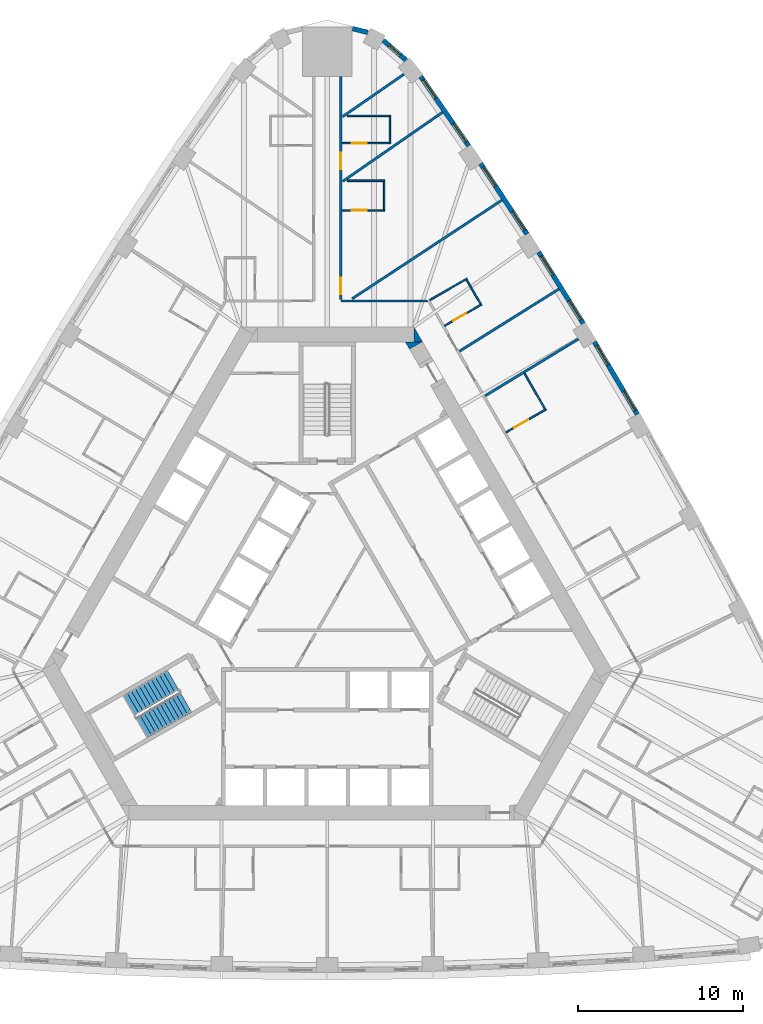
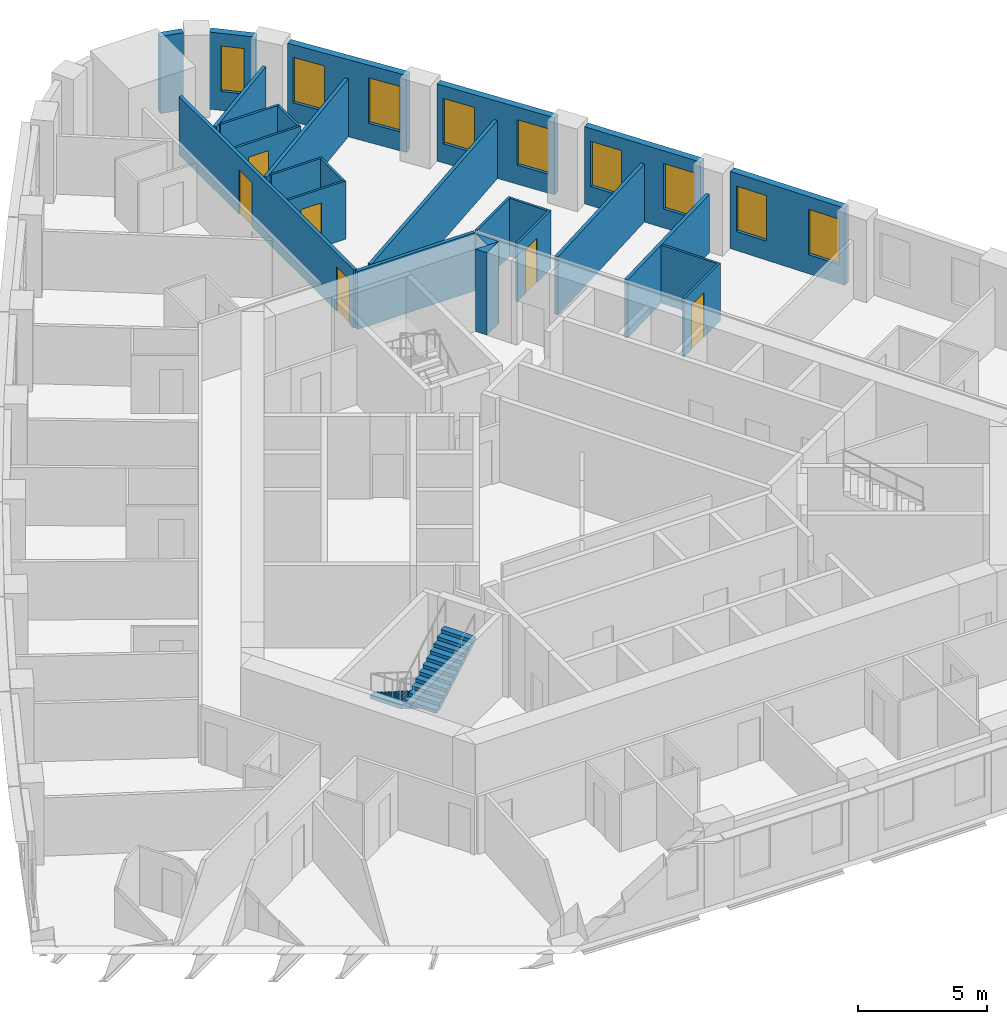
# One storey, part 11 of 13: 26 walls, 9 windows, 6 doors, 2 stair flights, 15 openings, 1 element without a shape of its own.
"""IFC4 building model written with IfcOpenShell, lengths in metres."""

from ifc_helpers import new_model, si_unit, direction, frame, frame_2d, origin, place, context, subcontext, project, spatial, polyline, rectangle, outline, extrude, material, layer, layer_set, type_object, element, fill, aggregate, save


model = new_model("IFC4")

# Units and contexts
model_context = context("Model", 3, precision=1e-05, world=origin(), true_north=direction((0.0, 1.0)))
body_context = subcontext(model_context, "Body", "Model", "MODEL_VIEW")
ifc_project = project(units=[si_unit("LENGTHUNIT", "METRE"), si_unit("AREAUNIT", "SQUARE_METRE"), si_unit("VOLUMEUNIT", "CUBIC_METRE"), si_unit("PLANEANGLEUNIT", "RADIAN"), si_unit("MASSUNIT", "GRAM", prefix="KILO")], contexts=[model_context])

# Site, building, storey
site_placement = place(None, origin())
site = spatial("IfcSite", under=ifc_project, at=site_placement, CompositionType="ELEMENT")
building_placement = place(site_placement, origin())
building = spatial("IfcBuilding", under=site, at=building_placement, Name="Mestral Congress Tower", CompositionType="ELEMENT")
storey_placement = place(building_placement, frame((0.0, 0.0, 99.300048828125)))
storey = spatial("IfcBuildingStorey", under=building, at=storey_placement, Name="L23", CompositionType="ELEMENT", Elevation=99.300048828125)

# Walls
ifc_material_1 = material(Name="Concrete C60/75", Category="concrete")
ifc_layer_1 = layer(ifc_material_1, 0.89990234375)
ifc_layer_set_1 = layer_set([ifc_layer_1], Name="Concrete C60/75")
wall_type_1 = type_object("IfcWallType", Name="Core wall RC 900", PredefinedType="SOLIDWALL", material=ifc_layer_set_1)
placement = place(storey_placement, origin())
element("IfcWall", 1, at=placement, inside=storey, type_object=wall_type_1, Name="L23 core wall", PredefinedType="SOLIDWALL", context=body_context, shape_type="SweptSolid", body=[
    extrude(outline(polyline([(5.265380859375, 16.0), (5.265380859375, 16.8798828125), (5.7734375, 16.0), (5.265380859375, 16.0)])), origin(), (0.0, 0.0, 1.0), 3.89990234375),
])
element("IfcWall", 2, at=placement, inside=storey, type_object=wall_type_1, Name="L23 core wall", PredefinedType="SOLIDWALL", context=body_context, shape_type="SweptSolid", body=[
    extrude(outline(polyline([(4.734375, 16.0), (5.750244140625, 16.0), (4.98828125, 15.56005859375), (4.734375, 16.0)])), origin(), (0.0, 0.0, 1.0), 3.89990234375),
])

# Wall, openings, windows
ifc_material_2 = material(Name="Precast concrete C40/50 with limestone facing", Category="masonry")
ifc_layer_2 = layer(ifc_material_2, 0.2900390625)
ifc_layer_set_2 = layer_set([ifc_layer_2], Name="Precast concrete C40/50 with limestone facing")
wall_type_2 = type_object("IfcWallType", Name="Facade stone wall 290", PredefinedType="SOLIDWALL", material=ifc_layer_set_2)
wall_3_placement = place(storey_placement, frame((18.8046875, 11.611083984375, 0.0), z_axis=(0.0, 0.0, 1.0), x_axis=(-0.510054281659, 0.860142214847, 0.0)))
wall_3 = element("IfcWall", 3, at=wall_3_placement, inside=storey, type_object=wall_type_2, Name="Facade wall F1-04", PredefinedType="SOLIDWALL", context=body_context, shape_type="SweptSolid", body=[
    extrude(rectangle(XDim=5.1005859375, YDim=0.2900390625, at=frame_2d((2.55029296875, 0.0))), origin(), (0.0, 0.0, 1.0), 3.64990234375),
])
opening_1_placement = place(wall_3_placement, frame((0.272705078125, 0.0, 0.89990234375)))
opening_1 = element("IfcOpeningElement", 4, at=opening_1_placement, cuts=wall_3, Name="Opening W2", PredefinedType="OPENING", context=body_context, shape_type="SweptSolid", body=[
    extrude(rectangle(XDim=1.35009765625, YDim=2.14990234375, at=frame_2d((0.675048828125, 1.074951171875))), frame((0.0, 0.155029296875, 0.0), z_axis=(0.0, -1.0, 0.0), x_axis=(1.0, 0.0, 0.0)), (0.0, 0.0, 1.0), 0.31005859375),
])
opening_2_placement = place(wall_3_placement, frame((3.477783203125, 0.0, 0.89990234375)))
opening_2 = element("IfcOpeningElement", 5, at=opening_2_placement, cuts=wall_3, Name="Opening W2", PredefinedType="OPENING", context=body_context, shape_type="SweptSolid", body=[
    extrude(rectangle(XDim=1.35009765625, YDim=2.14990234375, at=frame_2d((0.675048828125, 1.074951171875))), frame((0.0, 0.155029296875, 0.0), z_axis=(0.0, -1.0, 0.0), x_axis=(1.0, 0.0, 0.0)), (0.0, 0.0, 1.0), 0.31005859375),
])
ifc_material_3 = material(Name="Clear low-emissivity double glazing", Category="glass")
window_type_1 = type_object("IfcWindowType", Name="Facade punched window 1350 x 2150 sill 900", PartitioningType="DOUBLE_PANEL_VERTICAL", PredefinedType="WINDOW", material=ifc_material_3)
window_1_placement = place(opening_1_placement, origin())
window_1 = element("IfcWindow", 6, at=window_1_placement, inside=storey, type_object=window_type_1, Name="Window F1-04a", OverallHeight=2.14990234375, OverallWidth=1.35009765625, PartitioningType="DOUBLE_PANEL_VERTICAL", PredefinedType="WINDOW", context=body_context, shape_type="SweptSolid", body=[
    extrude(rectangle(XDim=1.35009765625, YDim=2.14990234375, at=frame_2d((0.675048828125, 1.074951171875))), frame((0.0, 0.01513671875, 0.0), z_axis=(0.0, -1.0, 0.0), x_axis=(1.0, 0.0, 0.0)), (0.0, 0.0, 1.0), 0.06005859375),
])
fill(opening_1, window_1)
window_2_placement = place(opening_2_placement, origin())
window_2 = element("IfcWindow", 7, at=window_2_placement, inside=storey, type_object=window_type_1, Name="Window F1-04b", OverallHeight=2.14990234375, OverallWidth=1.35009765625, PartitioningType="DOUBLE_PANEL_VERTICAL", PredefinedType="WINDOW", context=body_context, shape_type="SweptSolid", body=[
    extrude(rectangle(XDim=1.35009765625, YDim=2.14990234375, at=frame_2d((0.675048828125, 1.074951171875))), frame((0.0, 0.01513671875, 0.0), z_axis=(0.0, -1.0, 0.0), x_axis=(1.0, 0.0, 0.0)), (0.0, 0.0, 1.0), 0.06005859375),
])
fill(opening_2, window_2)

wall_4_placement = place(storey_placement, frame((15.523681640625, 17.114013671875, 0.0), z_axis=(0.0, 0.0, 1.0), x_axis=(-0.530072082134, 0.847952585787, 0.0)))
wall_4 = element("IfcWall", 8, at=wall_4_placement, inside=storey, type_object=wall_type_2, Name="Facade wall F1-05", PredefinedType="SOLIDWALL", context=body_context, shape_type="SweptSolid", body=[
    extrude(rectangle(XDim=5.100341796875, YDim=0.2900390625, at=frame_2d((2.55029296875, 0.0))), origin(), (0.0, 0.0, 1.0), 3.64990234375),
])
opening_3_placement = place(wall_4_placement, frame((0.272705078125, 0.0, 0.89990234375)))
opening_3 = element("IfcOpeningElement", 9, at=opening_3_placement, cuts=wall_4, Name="Opening W2", PredefinedType="OPENING", context=body_context, shape_type="SweptSolid", body=[
    extrude(rectangle(XDim=1.35009765625, YDim=2.14990234375, at=frame_2d((0.675048828125, 1.074951171875))), frame((0.0, 0.155029296875, 0.0), z_axis=(0.0, -1.0, 0.0), x_axis=(1.0, 0.0, 0.0)), (0.0, 0.0, 1.0), 0.31005859375),
])
opening_4_placement = place(wall_4_placement, frame((3.477783203125, 0.0, 0.89990234375)))
opening_4 = element("IfcOpeningElement", 10, at=opening_4_placement, cuts=wall_4, Name="Opening W2", PredefinedType="OPENING", context=body_context, shape_type="SweptSolid", body=[
    extrude(rectangle(XDim=1.35009765625, YDim=2.14990234375, at=frame_2d((0.675048828125, 1.074951171875))), frame((0.0, 0.155029296875, 0.0), z_axis=(0.0, -1.0, 0.0), x_axis=(1.0, 0.0, 0.0)), (0.0, 0.0, 1.0), 0.31005859375),
])
window_3_placement = place(opening_3_placement, origin())
window_3 = element("IfcWindow", 11, at=window_3_placement, inside=storey, type_object=window_type_1, Name="Window F1-05a", OverallHeight=2.14990234375, OverallWidth=1.35009765625, PartitioningType="DOUBLE_PANEL_VERTICAL", PredefinedType="WINDOW", context=body_context, shape_type="SweptSolid", body=[
    extrude(rectangle(XDim=1.35009765625, YDim=2.14990234375, at=frame_2d((0.675048828125, 1.074951171875))), frame((0.0, 0.01513671875, 0.0), z_axis=(0.0, -1.0, 0.0), x_axis=(1.0, 0.0, 0.0)), (0.0, 0.0, 1.0), 0.06005859375),
])
fill(opening_3, window_3)
window_4_placement = place(opening_4_placement, origin())
window_4 = element("IfcWindow", 12, at=window_4_placement, inside=storey, type_object=window_type_1, Name="Window F1-05b", OverallHeight=2.14990234375, OverallWidth=1.35009765625, PartitioningType="DOUBLE_PANEL_VERTICAL", PredefinedType="WINDOW", context=body_context, shape_type="SweptSolid", body=[
    extrude(rectangle(XDim=1.35009765625, YDim=2.14990234375, at=frame_2d((0.675048828125, 1.074951171875))), frame((0.0, 0.01513671875, 0.0), z_axis=(0.0, -1.0, 0.0), x_axis=(1.0, 0.0, 0.0)), (0.0, 0.0, 1.0), 0.06005859375),
])
fill(opening_4, window_4)

wall_5_placement = place(storey_placement, frame((12.114501953125, 22.538818359375, 0.0), z_axis=(0.0, 0.0, 1.0), x_axis=(-0.549741341923, 0.835334937005, 0.0)))
wall_5 = element("IfcWall", 13, at=wall_5_placement, inside=storey, type_object=wall_type_2, Name="Facade wall F1-06", PredefinedType="SOLIDWALL", context=body_context, shape_type="SweptSolid", body=[
    extrude(rectangle(XDim=5.10009765625, YDim=0.2900390625, at=frame_2d((2.550048828125, 0.0))), origin(), (0.0, 0.0, 1.0), 3.64990234375),
])
opening_5_placement = place(wall_5_placement, frame((0.272705078125, 0.0, 0.89990234375)))
opening_5 = element("IfcOpeningElement", 14, at=opening_5_placement, cuts=wall_5, Name="Opening W2", PredefinedType="OPENING", context=body_context, shape_type="SweptSolid", body=[
    extrude(rectangle(XDim=1.35009765625, YDim=2.14990234375, at=frame_2d((0.675048828125, 1.074951171875))), frame((0.0, 0.155029296875, 0.0), z_axis=(0.0, -1.0, 0.0), x_axis=(1.0, 0.0, 0.0)), (0.0, 0.0, 1.0), 0.31005859375),
])
opening_6_placement = place(wall_5_placement, frame((3.477783203125, 0.0, 0.89990234375)))
opening_6 = element("IfcOpeningElement", 15, at=opening_6_placement, cuts=wall_5, Name="Opening W2", PredefinedType="OPENING", context=body_context, shape_type="SweptSolid", body=[
    extrude(rectangle(XDim=1.35009765625, YDim=2.14990234375, at=frame_2d((0.675048828125, 1.074951171875))), frame((0.0, 0.155029296875, 0.0), z_axis=(0.0, -1.0, 0.0), x_axis=(1.0, 0.0, 0.0)), (0.0, 0.0, 1.0), 0.31005859375),
])
window_5_placement = place(opening_5_placement, origin())
window_5 = element("IfcWindow", 16, at=window_5_placement, inside=storey, type_object=window_type_1, Name="Window F1-06a", OverallHeight=2.14990234375, OverallWidth=1.35009765625, PartitioningType="DOUBLE_PANEL_VERTICAL", PredefinedType="WINDOW", context=body_context, shape_type="SweptSolid", body=[
    extrude(rectangle(XDim=1.35009765625, YDim=2.14990234375, at=frame_2d((0.675048828125, 1.074951171875))), frame((0.0, 0.01513671875, 0.0), z_axis=(0.0, -1.0, 0.0), x_axis=(1.0, 0.0, 0.0)), (0.0, 0.0, 1.0), 0.06005859375),
])
fill(opening_5, window_5)
window_6_placement = place(opening_6_placement, origin())
window_6 = element("IfcWindow", 17, at=window_6_placement, inside=storey, type_object=window_type_1, Name="Window F1-06b", OverallHeight=2.14990234375, OverallWidth=1.35009765625, PartitioningType="DOUBLE_PANEL_VERTICAL", PredefinedType="WINDOW", context=body_context, shape_type="SweptSolid", body=[
    extrude(rectangle(XDim=1.35009765625, YDim=2.14990234375, at=frame_2d((0.675048828125, 1.074951171875))), frame((0.0, 0.01513671875, 0.0), z_axis=(0.0, -1.0, 0.0), x_axis=(1.0, 0.0, 0.0)), (0.0, 0.0, 1.0), 0.06005859375),
])
fill(opening_6, window_6)

wall_6_placement = place(storey_placement, frame((8.57958984375, 27.882080078125, 0.0), z_axis=(0.0, 0.0, 1.0), x_axis=(-0.569113019126, 0.822259309136, 0.0)))
wall_6 = element("IfcWall", 18, at=wall_6_placement, inside=storey, type_object=wall_type_2, Name="Facade wall F1-07", PredefinedType="SOLIDWALL", context=body_context, shape_type="SweptSolid", body=[
    extrude(rectangle(XDim=5.106689453125, YDim=0.2900390625, at=frame_2d((2.55322265625, 0.0))), origin(), (0.0, 0.0, 1.0), 3.64990234375),
])
opening_7_placement = place(wall_6_placement, frame((0.285400390625, 0.0, 0.89990234375)))
opening_7 = element("IfcOpeningElement", 19, at=opening_7_placement, cuts=wall_6, Name="Opening W2", PredefinedType="OPENING", context=body_context, shape_type="SweptSolid", body=[
    extrude(rectangle(XDim=1.35009765625, YDim=2.14990234375, at=frame_2d((0.675048828125, 1.074951171875))), frame((0.0, 0.155029296875, 0.0), z_axis=(0.0, -1.0, 0.0), x_axis=(1.0, 0.0, 0.0)), (0.0, 0.0, 1.0), 0.31005859375),
])
opening_8_placement = place(wall_6_placement, frame((3.516357421875, 0.0, 0.89990234375)))
opening_8 = element("IfcOpeningElement", 20, at=opening_8_placement, cuts=wall_6, Name="Opening W2", PredefinedType="OPENING", context=body_context, shape_type="SweptSolid", body=[
    extrude(rectangle(XDim=1.35009765625, YDim=2.14990234375, at=frame_2d((0.675048828125, 1.074951171875))), frame((0.0, 0.155029296875, 0.0), z_axis=(0.0, -1.0, 0.0), x_axis=(1.0, 0.0, 0.0)), (0.0, 0.0, 1.0), 0.31005859375),
])
window_7_placement = place(opening_7_placement, origin())
window_7 = element("IfcWindow", 21, at=window_7_placement, inside=storey, type_object=window_type_1, Name="Window F1-07a", OverallHeight=2.14990234375, OverallWidth=1.35009765625, PartitioningType="DOUBLE_PANEL_VERTICAL", PredefinedType="WINDOW", context=body_context, shape_type="SweptSolid", body=[
    extrude(rectangle(XDim=1.35009765625, YDim=2.14990234375, at=frame_2d((0.675048828125, 1.074951171875))), frame((0.0, 0.01513671875, 0.0), z_axis=(0.0, -1.0, 0.0), x_axis=(1.0, 0.0, 0.0)), (0.0, 0.0, 1.0), 0.06005859375),
])
fill(opening_7, window_7)
window_8_placement = place(opening_8_placement, origin())
window_8 = element("IfcWindow", 22, at=window_8_placement, inside=storey, type_object=window_type_1, Name="Window F1-07b", OverallHeight=2.14990234375, OverallWidth=1.35009765625, PartitioningType="DOUBLE_PANEL_VERTICAL", PredefinedType="WINDOW", context=body_context, shape_type="SweptSolid", body=[
    extrude(rectangle(XDim=1.35009765625, YDim=2.14990234375, at=frame_2d((0.675048828125, 1.074951171875))), frame((0.0, 0.01513671875, 0.0), z_axis=(0.0, -1.0, 0.0), x_axis=(1.0, 0.0, 0.0)), (0.0, 0.0, 1.0), 0.06005859375),
])
fill(opening_8, window_8)

# Wall, opening, window
wall_7_placement = place(storey_placement, frame((4.778076171875, 33.08203125, 0.0), z_axis=(0.0, 0.0, 1.0), x_axis=(-0.754882764627, 0.655859749999, 0.0)))
wall_7 = element("IfcWall", 23, at=wall_7_placement, inside=storey, type_object=wall_type_2, Name="Facade wall K1-0", PredefinedType="SOLIDWALL", context=body_context, shape_type="SweptSolid", body=[
    extrude(rectangle(XDim=1.819580078125, YDim=0.2900390625, at=frame_2d((0.90966796875, 0.0))), origin(), (0.0, 0.0, 1.0), 3.64990234375),
])
opening_9_placement = place(wall_7_placement, frame((0.459716796875, 0.0, 0.89990234375)))
opening_9 = element("IfcOpeningElement", 24, at=opening_9_placement, cuts=wall_7, Name="Opening W3", PredefinedType="OPENING", context=body_context, shape_type="SweptSolid", body=[
    extrude(rectangle(XDim=0.89990234375, YDim=2.14990234375, at=frame_2d((0.449951171875, 1.074951171875))), frame((0.0, 0.155029296875, 0.0), z_axis=(0.0, -1.0, 0.0), x_axis=(1.0, 0.0, 0.0)), (0.0, 0.0, 1.0), 0.31005859375),
])
window_type_2 = type_object("IfcWindowType", Name="Facade punched window 900 x 2150 sill 900", PartitioningType="SINGLE_PANEL", PredefinedType="WINDOW", material=ifc_material_3)
window_9_placement = place(opening_9_placement, origin())
window_9 = element("IfcWindow", 25, at=window_9_placement, inside=storey, type_object=window_type_2, Name="Window K1-0", OverallHeight=2.14990234375, OverallWidth=0.89990234375, PartitioningType="SINGLE_PANEL", PredefinedType="WINDOW", context=body_context, shape_type="SweptSolid", body=[
    extrude(rectangle(XDim=0.89990234375, YDim=2.14990234375, at=frame_2d((0.449951171875, 1.074951171875))), frame((0.0, 0.01513671875, 0.0), z_axis=(0.0, -1.0, 0.0), x_axis=(1.0, 0.0, 0.0)), (0.0, 0.0, 1.0), 0.06005859375),
])
fill(opening_9, window_9)

# Wall
wall_8_placement = place(storey_placement, frame((2.455322265625, 34.765625, 0.0), z_axis=(0.0, 0.0, 1.0), x_axis=(-0.971713991574, 0.236160789674, 0.0)))
element("IfcWall", 26, at=wall_8_placement, inside=storey, type_object=wall_type_2, Name="Facade wall K1-1", PredefinedType="SOLIDWALL", context=body_context, shape_type="SweptSolid", body=[
    extrude(rectangle(XDim=0.947021484375, YDim=0.2900390625, at=frame_2d((0.4736328125, 0.0))), origin(), (0.0, 0.0, 1.0), 3.64990234375),
])

# Wall, opening, door
ifc_material_4 = material(Name="Gypsum board partition on metal studs with mineral wool", Category="composite")
ifc_layer_3 = layer(ifc_material_4, 0.10009765625)
ifc_layer_set_3 = layer_set([ifc_layer_3], Name="Gypsum board partition on metal studs with mineral wool")
wall_type_3 = type_object("IfcWallType", Name="Hotel partition wall 100", PredefinedType="PARTITIONING", material=ifc_layer_set_3)
wall_9_placement = place(storey_placement, frame((10.8466796875, 10.512939453125, 0.0), z_axis=(0.0, 0.0, 1.0), x_axis=(0.865996816683, 0.500049511043, 0.0)))
wall_9 = element("IfcWall", 27, at=wall_9_placement, inside=storey, type_object=wall_type_3, Name="L23-h-pod13a", PredefinedType="PARTITIONING", context=body_context, shape_type="SweptSolid", body=[
    extrude(rectangle(XDim=2.800048828125, YDim=0.10009765625, at=frame_2d((1.39990234375, 0.0))), origin(), (0.0, 0.0, 1.0), 2.75),
])
opening_10_placement = place(wall_9_placement, frame((0.550048828125, 0.0, 0.0)))
opening_10 = element("IfcOpeningElement", 28, at=opening_10_placement, cuts=wall_9, Name="Opening H07-026", PredefinedType="OPENING", context=body_context, shape_type="SweptSolid", body=[
    extrude(rectangle(XDim=1.0, YDim=2.10009765625, at=frame_2d((0.5, 1.050048828125))), frame((0.0, 0.06005859375, 0.0), z_axis=(0.0, -1.0, 0.0), x_axis=(1.0, 0.0, 0.0)), (0.0, 0.0, 1.0), 0.1201171875),
])
ifc_material_5 = material(Name="Timber veneer door leaf in timber frame", Category="wood")
door_type_1 = type_object("IfcDoorType", Name="Accessible bathroom door 1000", OperationType="SINGLE_SWING_LEFT", PredefinedType="DOOR", material=ifc_material_5)
door_1_placement = place(opening_10_placement, origin())
door_1 = element("IfcDoor", 29, at=door_1_placement, inside=storey, type_object=door_type_1, Name="L23-h-d026", OperationType="SINGLE_SWING_LEFT", OverallHeight=2.10009765625, OverallWidth=1.0, PredefinedType="DOOR", context=body_context, shape_type="SweptSolid", body=[
    extrude(rectangle(XDim=1.0, YDim=2.10009765625, at=frame_2d((0.5, 1.050048828125))), frame((0.0, 0.02490234375, 0.0), z_axis=(0.0, -1.0, 0.0), x_axis=(1.0, 0.0, 0.0)), (0.0, 0.0, 1.0), 0.050048828125),
])
fill(opening_10, door_1)

# Wall
wall_10_placement = place(storey_placement, frame((13.203125, 11.931396484375, 0.0), z_axis=(0.0, 0.0, 1.0), x_axis=(-0.499988411372, 0.866032094379, 0.0)))
element("IfcWall", 30, at=wall_10_placement, inside=storey, type_object=wall_type_3, Name="L23-h-pod13b", PredefinedType="PARTITIONING", context=body_context, shape_type="SweptSolid", body=[
    extrude(rectangle(XDim=2.48974609375, YDim=0.10009765625, at=frame_2d((1.244873046875, 0.0))), origin(), (0.0, 0.0, 1.0), 2.75),
])

# Wall, opening, door
wall_11_placement = place(storey_placement, frame((7.1181640625, 16.970947265625, 0.0), z_axis=(0.0, 0.0, 1.0), x_axis=(0.866021400173, 0.500006934395, 0.0)))
wall_11 = element("IfcWall", 31, at=wall_11_placement, inside=storey, type_object=wall_type_3, Name="L23-h-pod15a", PredefinedType="PARTITIONING", context=body_context, shape_type="SweptSolid", body=[
    extrude(rectangle(XDim=2.60009765625, YDim=0.10009765625, at=frame_2d((1.300048828125, 0.0))), origin(), (0.0, 0.0, 1.0), 2.75),
])
opening_11_placement = place(wall_11_placement, frame((0.60009765625, 0.0, 0.0)))
opening_11 = element("IfcOpeningElement", 32, at=opening_11_placement, cuts=wall_11, Name="Opening H07-029", PredefinedType="OPENING", context=body_context, shape_type="SweptSolid", body=[
    extrude(rectangle(XDim=0.89990234375, YDim=2.10009765625, at=frame_2d((0.449951171875, 1.050048828125))), frame((0.0, 0.06005859375, 0.0), z_axis=(0.0, -1.0, 0.0), x_axis=(1.0, 0.0, 0.0)), (0.0, 0.0, 1.0), 0.1201171875),
])
door_type_2 = type_object("IfcDoorType", Name="Bathroom door 900", OperationType="SINGLE_SWING_LEFT", PredefinedType="DOOR", material=ifc_material_5)
door_2_placement = place(opening_11_placement, origin())
door_2 = element("IfcDoor", 33, at=door_2_placement, inside=storey, type_object=door_type_2, Name="L23-h-d029", OperationType="SINGLE_SWING_RIGHT", OverallHeight=2.10009765625, OverallWidth=0.89990234375, PredefinedType="DOOR", context=body_context, shape_type="SweptSolid", body=[
    extrude(rectangle(XDim=0.89990234375, YDim=2.10009765625, at=frame_2d((0.449951171875, 1.050048828125))), frame((0.0, 0.02490234375, 0.0), z_axis=(0.0, -1.0, 0.0), x_axis=(1.0, 0.0, 0.0)), (0.0, 0.0, 1.0), 0.050048828125),
])
fill(opening_11, door_2)

# Walls
wall_12_placement = place(storey_placement, frame((9.301513671875, 18.289306640625, 0.0), z_axis=(0.0, 0.0, 1.0), x_axis=(-0.500062241894, 0.865989465428, 0.0)))
element("IfcWall", 34, at=wall_12_placement, inside=storey, type_object=wall_type_3, Name="L23-h-pod15b", PredefinedType="PARTITIONING", context=body_context, shape_type="SweptSolid", body=[
    extrude(rectangle(XDim=1.699951171875, YDim=0.10009765625, at=frame_2d((0.85009765625, 0.0))), origin(), (0.0, 0.0, 1.0), 2.75),
])
wall_13_placement = place(storey_placement, frame((6.21826171875, 18.52978515625, 0.0), z_axis=(0.0, 0.0, 1.0), x_axis=(0.865997922154, 0.500047596559, 0.0)))
element("IfcWall", 35, at=wall_13_placement, inside=storey, type_object=wall_type_3, Name="L23-h-pod15c", PredefinedType="PARTITIONING", context=body_context, shape_type="SweptSolid", body=[
    extrude(rectangle(XDim=2.599853515625, YDim=0.10009765625, at=frame_2d((1.2998046875, 0.0))), origin(), (0.0, 0.0, 1.0), 2.75),
])

# Wall, opening, door
wall_14_placement = place(storey_placement, frame((0.89990234375, 23.968994140625, 0.0), z_axis=(0.0, 0.0, 1.0), x_axis=(1.0, 0.0, 0.0)))
wall_14 = element("IfcWall", 36, at=wall_14_placement, inside=storey, type_object=wall_type_3, Name="L23-h-pod16a", PredefinedType="PARTITIONING", context=body_context, shape_type="SweptSolid", body=[
    extrude(rectangle(XDim=2.60009765625, YDim=0.10009765625, at=frame_2d((1.300048828125, 0.0))), origin(), (0.0, 0.0, 1.0), 2.75),
])
opening_12_placement = place(wall_14_placement, frame((0.60009765625, 0.0, 0.0)))
opening_12 = element("IfcOpeningElement", 37, at=opening_12_placement, cuts=wall_14, Name="Opening H07-031", PredefinedType="OPENING", context=body_context, shape_type="SweptSolid", body=[
    extrude(rectangle(XDim=0.89990234375, YDim=2.10009765625, at=frame_2d((0.449951171875, 1.050048828125))), frame((0.0, 0.06005859375, 0.0), z_axis=(0.0, -1.0, 0.0), x_axis=(1.0, 0.0, 0.0)), (0.0, 0.0, 1.0), 0.1201171875),
])
door_3_placement = place(opening_12_placement, origin())
door_3 = element("IfcDoor", 38, at=door_3_placement, inside=storey, type_object=door_type_2, Name="L23-h-d031", OperationType="SINGLE_SWING_LEFT", OverallHeight=2.10009765625, OverallWidth=0.89990234375, PredefinedType="DOOR", context=body_context, shape_type="SweptSolid", body=[
    extrude(rectangle(XDim=0.89990234375, YDim=2.10009765625, at=frame_2d((0.449951171875, 1.050048828125))), frame((0.0, 0.02490234375, 0.0), z_axis=(0.0, -1.0, 0.0), x_axis=(1.0, 0.0, 0.0)), (0.0, 0.0, 1.0), 0.050048828125),
])
fill(opening_12, door_3)

# Walls
wall_15_placement = place(storey_placement, frame((3.449951171875, 24.01904296875, 0.0), z_axis=(0.0, 0.0, 1.0), x_axis=(0.0, 1.0, 0.0)))
element("IfcWall", 39, at=wall_15_placement, inside=storey, type_object=wall_type_3, Name="L23-h-pod16b", PredefinedType="PARTITIONING", context=body_context, shape_type="SweptSolid", body=[
    extrude(rectangle(XDim=1.699951171875, YDim=0.10009765625, at=frame_2d((0.85009765625, 0.0))), origin(), (0.0, 0.0, 1.0), 2.75),
])
wall_16_placement = place(storey_placement, frame((1.199951171875, 25.76904296875, 0.0), z_axis=(0.0, 0.0, 1.0), x_axis=(1.0, 0.0, 0.0)))
element("IfcWall", 40, at=wall_16_placement, inside=storey, type_object=wall_type_3, Name="L23-h-pod16c", PredefinedType="PARTITIONING", context=body_context, shape_type="SweptSolid", body=[
    extrude(rectangle(XDim=2.300048828125, YDim=0.10009765625, at=frame_2d((1.14990234375, 0.0))), origin(), (0.0, 0.0, 1.0), 2.75),
])

# Wall, opening, door
wall_17_placement = place(storey_placement, frame((0.89990234375, 28.048095703125, 0.0), z_axis=(0.0, 0.0, 1.0), x_axis=(1.0, 0.0, 0.0)))
wall_17 = element("IfcWall", 41, at=wall_17_placement, inside=storey, type_object=wall_type_3, Name="L23-h-pod17a", PredefinedType="PARTITIONING", context=body_context, shape_type="SweptSolid", body=[
    extrude(rectangle(XDim=2.9501953125, YDim=0.10009765625, at=frame_2d((1.47509765625, 0.0))), origin(), (0.0, 0.0, 1.0), 2.75),
])
opening_13_placement = place(wall_17_placement, frame((0.60009765625, 0.0, 0.0)))
opening_13 = element("IfcOpeningElement", 42, at=opening_13_placement, cuts=wall_17, Name="Opening H07-033", PredefinedType="OPENING", context=body_context, shape_type="SweptSolid", body=[
    extrude(rectangle(XDim=0.89990234375, YDim=2.10009765625, at=frame_2d((0.449951171875, 1.050048828125))), frame((0.0, 0.06005859375, 0.0), z_axis=(0.0, -1.0, 0.0), x_axis=(1.0, 0.0, 0.0)), (0.0, 0.0, 1.0), 0.1201171875),
])
door_4_placement = place(opening_13_placement, origin())
door_4 = element("IfcDoor", 43, at=door_4_placement, inside=storey, type_object=door_type_2, Name="L23-h-d033", OperationType="SINGLE_SWING_LEFT", OverallHeight=2.10009765625, OverallWidth=0.89990234375, PredefinedType="DOOR", context=body_context, shape_type="SweptSolid", body=[
    extrude(rectangle(XDim=0.89990234375, YDim=2.10009765625, at=frame_2d((0.449951171875, 1.050048828125))), frame((0.0, 0.02490234375, 0.0), z_axis=(0.0, -1.0, 0.0), x_axis=(1.0, 0.0, 0.0)), (0.0, 0.0, 1.0), 0.050048828125),
])
fill(opening_13, door_4)

# Walls
wall_18_placement = place(storey_placement, frame((3.800048828125, 28.09814453125, 0.0), z_axis=(0.0, 0.0, 1.0), x_axis=(0.0, 1.0, 0.0)))
element("IfcWall", 44, at=wall_18_placement, inside=storey, type_object=wall_type_3, Name="L23-h-pod17b", PredefinedType="PARTITIONING", context=body_context, shape_type="SweptSolid", body=[
    extrude(rectangle(XDim=1.550048828125, YDim=0.10009765625, at=frame_2d((0.77490234375, 0.0))), origin(), (0.0, 0.0, 1.0), 2.75),
])
wall_19_placement = place(storey_placement, frame((1.199951171875, 29.697998046875, 0.0), z_axis=(0.0, 0.0, 1.0), x_axis=(1.0, 0.0, 0.0)))
element("IfcWall", 45, at=wall_19_placement, inside=storey, type_object=wall_type_3, Name="L23-h-pod17c", PredefinedType="PARTITIONING", context=body_context, shape_type="SweptSolid", body=[
    extrude(rectangle(XDim=2.650146484375, YDim=0.10009765625, at=frame_2d((1.3251953125, 0.0))), origin(), (0.0, 0.0, 1.0), 2.75),
])
ifc_layer_4 = layer(ifc_material_4, 0.14990234375)
ifc_layer_set_4 = layer_set([ifc_layer_4], Name="Gypsum board partition on metal studs with mineral wool")
wall_type_4 = type_object("IfcWallType", Name="Hotel partition wall 150", PredefinedType="PARTITIONING", material=ifc_layer_set_4)
wall_20_placement = place(storey_placement, frame((0.824951171875, 18.47509765625, 0.0), z_axis=(0.0, 0.0, 1.0), x_axis=(1.0, 0.0, 0.0)))
element("IfcWall", 46, at=wall_20_placement, inside=storey, type_object=wall_type_4, Name="L23-h-cw04", PredefinedType="PARTITIONING", context=body_context, shape_type="SweptSolid", body=[
    extrude(rectangle(XDim=5.268310546875, YDim=0.14990234375, at=frame_2d((2.63427734375, 0.0))), origin(), (0.0, 0.0, 1.0), 2.75),
])

# Wall, openings, doors
wall_21_placement = place(storey_placement, frame((0.824951171875, 32.098388671875, 0.0), z_axis=(0.0, 0.0, 1.0), x_axis=(0.0, -1.0, 0.0)))
wall_21 = element("IfcWall", 47, at=wall_21_placement, inside=storey, type_object=wall_type_4, Name="L23-h-cw05", PredefinedType="PARTITIONING", context=body_context, shape_type="SweptSolid", body=[
    extrude(rectangle(XDim=13.54345703125, YDim=0.14990234375, at=frame_2d((6.771728515625, 0.0))), origin(), (0.0, 0.0, 1.0), 2.75),
])
opening_14_placement = place(wall_21_placement, frame((12.21337890625, 0.0, 0.0)))
opening_14 = element("IfcOpeningElement", 48, at=opening_14_placement, cuts=wall_21, Name="Opening H07-030", PredefinedType="OPENING", context=body_context, shape_type="SweptSolid", body=[
    extrude(rectangle(XDim=1.0, YDim=2.10009765625, at=frame_2d((0.5, 1.050048828125))), frame((0.0, 0.0849609375, 0.0), z_axis=(0.0, -1.0, 0.0), x_axis=(1.0, 0.0, 0.0)), (0.0, 0.0, 1.0), 0.169921875),
])
opening_15_placement = place(wall_21_placement, frame((4.650146484375, 0.0, 0.0)))
opening_15 = element("IfcOpeningElement", 49, at=opening_15_placement, cuts=wall_21, Name="Opening H07-032", PredefinedType="OPENING", context=body_context, shape_type="SweptSolid", body=[
    extrude(rectangle(XDim=1.0, YDim=2.10009765625, at=frame_2d((0.5, 1.050048828125))), frame((0.0, 0.0849609375, 0.0), z_axis=(0.0, -1.0, 0.0), x_axis=(1.0, 0.0, 0.0)), (0.0, 0.0, 1.0), 0.169921875),
])
ifc_material_6 = material(Name="Timber veneer door leaf in metal frame", Category="wood")
door_type_3 = type_object("IfcDoorType", Name="Guest room entrance door 1000", OperationType="SINGLE_SWING_LEFT", PredefinedType="DOOR", material=ifc_material_6)
door_5_placement = place(opening_14_placement, origin())
door_5 = element("IfcDoor", 50, at=door_5_placement, inside=storey, type_object=door_type_3, Name="L23-h-d030", OperationType="SINGLE_SWING_RIGHT", OverallHeight=2.10009765625, OverallWidth=1.0, PredefinedType="DOOR", context=body_context, shape_type="SweptSolid", body=[
    extrude(rectangle(XDim=1.0, YDim=2.10009765625, at=frame_2d((0.5, 1.050048828125))), frame((0.0, 0.02490234375, 0.0), z_axis=(0.0, -1.0, 0.0), x_axis=(1.0, 0.0, 0.0)), (0.0, 0.0, 1.0), 0.050048828125),
])
fill(opening_14, door_5)
door_6_placement = place(opening_15_placement, origin())
door_6 = element("IfcDoor", 51, at=door_6_placement, inside=storey, type_object=door_type_3, Name="L23-h-d032", OperationType="SINGLE_SWING_RIGHT", OverallHeight=2.10009765625, OverallWidth=1.0, PredefinedType="DOOR", context=body_context, shape_type="SweptSolid", body=[
    extrude(rectangle(XDim=1.0, YDim=2.10009765625, at=frame_2d((0.5, 1.050048828125))), frame((0.0, 0.02490234375, 0.0), z_axis=(0.0, -1.0, 0.0), x_axis=(1.0, 0.0, 0.0)), (0.0, 0.0, 1.0), 0.050048828125),
])
fill(opening_15, door_6)

# Walls
wall_22_placement = place(storey_placement, frame((6.994384765625, 29.91748046875, 0.0), z_axis=(0.0, 0.0, 1.0), x_axis=(-0.822255462494, -0.569118576747, 0.0)))
element("IfcWall", 52, at=wall_22_placement, inside=storey, type_object=wall_type_4, Name="L23-h-pw16", PredefinedType="PARTITIONING", context=body_context, shape_type="SweptSolid", body=[
    extrude(rectangle(XDim=7.36181640625, YDim=0.14990234375, at=frame_2d((3.680908203125, 0.0))), origin(), (0.0, 0.0, 1.0), 2.75),
])
wall_23_placement = place(storey_placement, frame((10.591552734375, 24.589111328125, 0.0), z_axis=(0.0, 0.0, 1.0), x_axis=(-0.835337323748, -0.549737715236, 0.0)))
element("IfcWall", 53, at=wall_23_placement, inside=storey, type_object=wall_type_4, Name="L23-h-pw17", PredefinedType="PARTITIONING", context=body_context, shape_type="SweptSolid", body=[
    extrude(rectangle(XDim=10.875244140625, YDim=0.14990234375, at=frame_2d((5.4375, 0.0))), origin(), (0.0, 0.0, 1.0), 2.75),
])
wall_24_placement = place(storey_placement, frame((4.649169921875, 32.223388671875, 0.0), z_axis=(0.0, 0.0, 1.0), x_axis=(-0.822262349475, -0.569108626394, 0.0)))
element("IfcWall", 54, at=wall_24_placement, inside=storey, type_object=wall_type_4, Name="L23-h-pw18", PredefinedType="PARTITIONING", context=body_context, shape_type="SweptSolid", body=[
    extrude(rectangle(XDim=4.509521484375, YDim=0.14990234375, at=frame_2d((2.2548828125, 0.0))), origin(), (0.0, 0.0, 1.0), 2.75),
])
wall_25_placement = place(storey_placement, frame((14.048828125, 19.19970703125, 0.0), z_axis=(0.0, 0.0, 1.0), x_axis=(-0.847955867271, -0.530066832731, 0.0)))
element("IfcWall", 55, at=wall_25_placement, inside=storey, type_object=wall_type_4, Name="L23-h-pw20", PredefinedType="PARTITIONING", context=body_context, shape_type="SweptSolid", body=[
    extrude(rectangle(XDim=7.111083984375, YDim=0.14990234375, at=frame_2d((3.5556640625, 0.0))), origin(), (0.0, 0.0, 1.0), 2.75),
])
wall_26_placement = place(storey_placement, frame((15.22509765625, 16.16748046875, 0.0), z_axis=(0.0, 0.0, 1.0), x_axis=(-0.854088713274, -0.520127359266, 0.0)))
element("IfcWall", 56, at=wall_26_placement, inside=storey, type_object=wall_type_4, Name="L23-h-pw21", PredefinedType="PARTITIONING", context=body_context, shape_type="SweptSolid", body=[
    extrude(rectangle(XDim=6.61083984375, YDim=0.14990234375, at=frame_2d((3.305419921875, 0.0))), origin(), (0.0, 0.0, 1.0), 2.75),
])

# Stair, stair flights
stair_type = type_object("IfcStairType", Name="Exit stair 1400", PredefinedType="HALF_TURN_STAIR", material=ifc_material_1)
stair = element("IfcStair", 57, at=placement, inside=storey, type_object=stair_type, Name="L23 ST3", PredefinedType="HALF_TURN_STAIR")
stair_flight_type = type_object("IfcStairFlightType", Name="Exit stair flight 1400", PredefinedType="STRAIGHT", material=ifc_material_1)
stair_flight_1_placement = place(storey_placement, frame((-9.350830078125, -4.50390625, 0.0), z_axis=(0.0, 0.0, 1.0), x_axis=(-0.866025403784, -0.5, 0.0)))
stair_flight_1 = element("IfcStairFlight", 58, at=stair_flight_1_placement, type_object=stair_flight_type, Name="ST3 flight 1", NumberOfRisers=12, NumberOfTreads=11, PredefinedType="STRAIGHT", RiserHeight=0.1625, TreadLength=0.28, context=body_context, shape_type="SweptSolid", body=[
    extrude(outline(polyline([(0.0, 0.0), (0.0, 0.16259765625), (0.280029296875, 0.16259765625), (0.280029296875, 0.324951171875), (0.56005859375, 0.324951171875), (0.56005859375, 0.487548828125), (0.840087890625, 0.487548828125), (0.840087890625, 0.64990234375), (1.1201171875, 0.64990234375), (1.1201171875, 0.8125), (1.39990234375, 0.8125), (1.39990234375, 0.97509765625), (1.679931640625, 0.97509765625), (1.679931640625, 1.137451171875), (1.9599609375, 1.137451171875), (1.9599609375, 1.300048828125), (2.239990234375, 1.300048828125), (2.239990234375, 1.46240234375), (2.52001953125, 1.46240234375), (2.52001953125, 1.625), (2.800048828125, 1.625), (2.800048828125, 1.78759765625), (3.080078125, 1.78759765625), (3.080078125, 1.949951171875), (3.080078125, 1.6142578125), (0.298583984375, 0.0), (0.0, 0.0)])), frame((0.0, 0.699951171875, 0.0), z_axis=(0.0, -1.0, 0.0), x_axis=(1.0, 0.0, 0.0)), (0.0, 0.0, 1.0), 1.39990234375),
])
stair_flight_2_placement = place(storey_placement, frame((-11.2431640625, -7.38623046875, 1.949951171875), z_axis=(0.0, 0.0, 1.0), x_axis=(0.866025403784, 0.5, 0.0)))
stair_flight_2 = element("IfcStairFlight", 59, at=stair_flight_2_placement, type_object=stair_flight_type, Name="ST3 flight 2", NumberOfRisers=12, NumberOfTreads=11, PredefinedType="STRAIGHT", RiserHeight=0.1625, TreadLength=0.28, context=body_context, shape_type="SweptSolid", body=[
    extrude(outline(polyline([(0.0, 0.0), (0.0, 0.16259765625), (0.280029296875, 0.16259765625), (0.280029296875, 0.324951171875), (0.56005859375, 0.324951171875), (0.56005859375, 0.487548828125), (0.840087890625, 0.487548828125), (0.840087890625, 0.64990234375), (1.1201171875, 0.64990234375), (1.1201171875, 0.8125), (1.39990234375, 0.8125), (1.39990234375, 0.97509765625), (1.679931640625, 0.97509765625), (1.679931640625, 1.137451171875), (1.9599609375, 1.137451171875), (1.9599609375, 1.300048828125), (2.239990234375, 1.300048828125), (2.239990234375, 1.46240234375), (2.52001953125, 1.46240234375), (2.52001953125, 1.625), (2.800048828125, 1.625), (2.800048828125, 1.78759765625), (3.080078125, 1.78759765625), (3.080078125, 1.949951171875), (3.080078125, 1.6142578125), (0.298583984375, 0.0), (0.0, 0.0)])), frame((0.0, 0.699951171875, 0.0), z_axis=(0.0, -1.0, 0.0), x_axis=(1.0, 0.0, 0.0)), (0.0, 0.0, 1.0), 1.39990234375),
])
aggregate(stair, [stair_flight_1, stair_flight_2])

save(model, "model.ifc")
